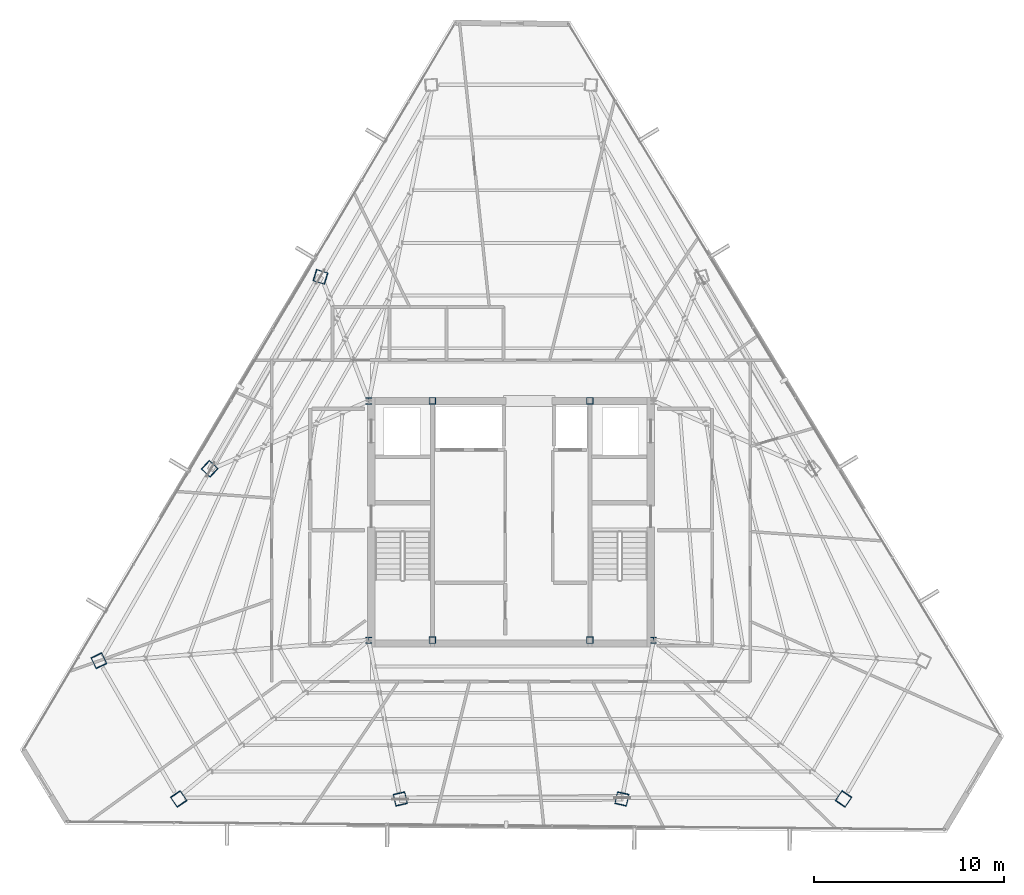
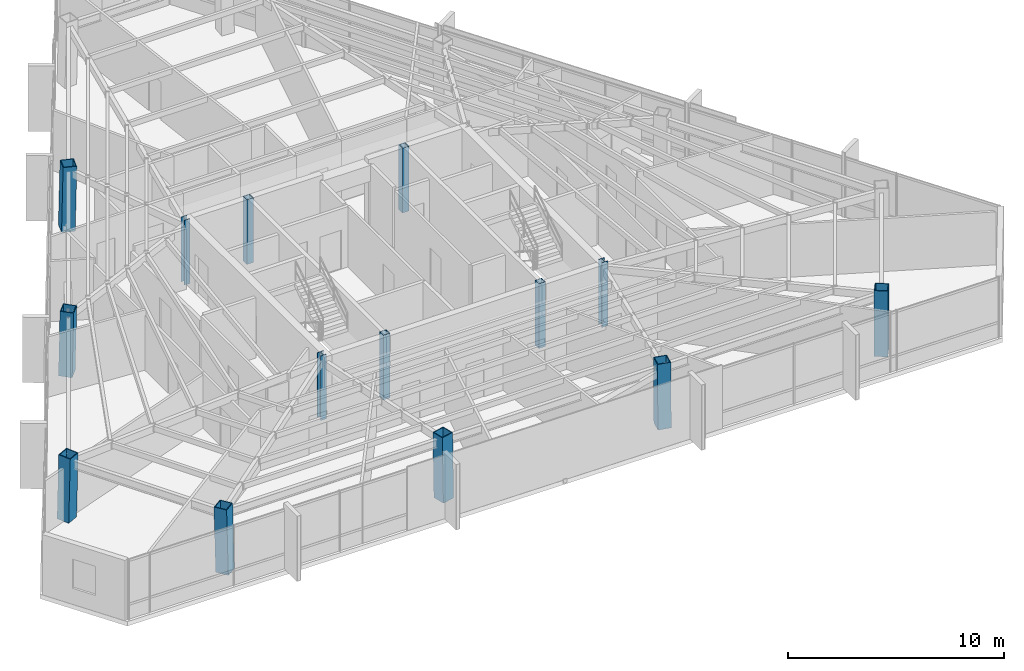
# One storey, part 1 of 45: 14 columns.
"""IFC4 building model written with IfcOpenShell, lengths in metres."""

from ifc_helpers import new_model, si_unit, direction, frame, origin, origin_2d, place, context, subcontext, project, spatial, hollow_rectangle, i_section, extrude, source, transform, mapped, material, material_profile, profile_set, type_object, type_shapes, element, save


model = new_model("IFC4")

# Units and contexts
model_context = context("Model", 3, precision=1e-05, world=origin(), true_north=direction((0.0, 1.0)))
body_context = subcontext(model_context, "Body", "Model", "MODEL_VIEW")
ifc_project = project(units=[si_unit("LENGTHUNIT", "METRE"), si_unit("AREAUNIT", "SQUARE_METRE"), si_unit("VOLUMEUNIT", "CUBIC_METRE"), si_unit("PLANEANGLEUNIT", "RADIAN"), si_unit("MASSUNIT", "GRAM", prefix="KILO")], contexts=[model_context])

# Site, building, storey
site_placement = place(None, origin())
site = spatial("IfcSite", under=ifc_project, at=site_placement, CompositionType="ELEMENT")
building_placement = place(site_placement, origin())
building = spatial("IfcBuilding", under=site, at=building_placement, Name="Caelisora Broadcast Tower", CompositionType="ELEMENT")
storey_placement = place(building_placement, frame((0.0, 0.0, 240.800048828125)))
storey = spatial("IfcBuildingStorey", under=building, at=storey_placement, Name="L63", CompositionType="ELEMENT", Elevation=240.800048828125)

# Columns
ifc_material_1 = material(Name="Steel Grade 350 (AS/NZS 1163 C350L0)", Category="steel")
ifc_material_profile_1 = material_profile(ifc_material_1, hollow_rectangle(XDim=0.35009765625, YDim=0.35009765625, WallThickness=0.01611328125, at=origin_2d()), Name="Steel Grade 350 (AS/NZS 1163 C350L0)")
ifc_profile_set_1 = profile_set([ifc_material_profile_1], Name="Steel Grade 350 (AS/NZS 1163 C350L0)")
column_type_1 = type_object("IfcColumnType", Name="CC07", PredefinedType="COLUMN", material=ifc_profile_set_1)
shared_shape_1 = source(origin(), body_context, "Body", "SweptSolid", [
    extrude(hollow_rectangle(XDim=0.35009765625, YDim=0.35009765625, WallThickness=0.01611328125, at=origin_2d()), origin(), (0.0, 0.0, 1.0), 3.64990234375),
])
type_shapes(column_type_1, [shared_shape_1])
for number, where, z_axis, x_axis, name in (
    (1, (33.85009765625, 17.39990234375, 0.0), (0.0, 0.0, 1.0), (1.0, 0.0, 0.0), "L63 column CC07"),
    (2, (42.14990234375, 17.39990234375, 0.0), (0.0, 0.0, 1.0), (1.0, 0.0, 0.0), "L63 column CC07"),
    (3, (33.85009765625, 30.0, 0.0), (0.0, 0.0, 1.0), (1.0, 0.0, 0.0), "L63 column CC07"),
    (4, (42.14990234375, 30.0, 0.0), (0.0, 0.0, 1.0), (1.0, 0.0, 0.0), "L63 column CC07"),
):
    element("IfcColumn", number, at=place(storey_placement, frame(where, z_axis=z_axis, x_axis=x_axis)), inside=storey, type_object=column_type_1, Name=name, PredefinedType="COLUMN", context=body_context, shape_type="MappedRepresentation", body=[
        mapped(shared_shape_1, transform((0.0, 0.0, 0.0), scale=1.0)),
    ])
ifc_material_2 = material(Name="Steel Grade 350 (AS/NZS 3679.1)", Category="steel")
ifc_material_profile_2 = material_profile(ifc_material_2, i_section(OverallWidth=0.31103515625, OverallDepth=0.3271484375, WebThickness=0.015625, FlangeThickness=0.02490234375, at=origin_2d()), Name="Steel Grade 350 (AS/NZS 3679.1)")
ifc_profile_set_2 = profile_set([ifc_material_profile_2], Name="Steel Grade 350 (AS/NZS 3679.1)")
column_type_2 = type_object("IfcColumnType", Name="CC03", PredefinedType="COLUMN", material=ifc_profile_set_2)
shared_shape_2 = source(origin(), body_context, "Body", "SweptSolid", [
    extrude(i_section(OverallWidth=0.31103515625, OverallDepth=0.3271484375, WebThickness=0.015625, FlangeThickness=0.02490234375, at=origin_2d()), origin(), (0.0, 0.0, 1.0), 3.64990234375),
])
type_shapes(column_type_2, [shared_shape_2])
for number, where, z_axis, x_axis, name in (
    (5, (30.5, 17.39990234375, 0.0), (0.0, 0.0, 1.0), (1.0, 0.0, 0.0), "L63 column CC03"),
    (6, (45.5, 17.39990234375, 0.0), (0.0, 0.0, 1.0), (1.0, 0.0, 0.0), "L63 column CC03"),
    (7, (30.5, 30.0, 0.0), (0.0, 0.0, 1.0), (1.0, 0.0, 0.0), "L63 column CC03"),
):
    element("IfcColumn", number, at=place(storey_placement, frame(where, z_axis=z_axis, x_axis=x_axis)), inside=storey, type_object=column_type_2, Name=name, PredefinedType="COLUMN", context=body_context, shape_type="MappedRepresentation", body=[
        mapped(shared_shape_2, transform((0.0, 0.0, 0.0), scale=1.0)),
    ])
ifc_material_3 = material(Name="Steel Grade 350 L15 (AS/NZS 3678)", Category="steel")
ifc_material_profile_3 = material_profile(ifc_material_3, hollow_rectangle(XDim=0.64990234375, YDim=0.64990234375, WallThickness=0.0400390625, at=origin_2d()), Name="Steel Grade 350 L15 (AS/NZS 3678)")
ifc_profile_set_3 = profile_set([ifc_material_profile_3], Name="Steel Grade 350 L15 (AS/NZS 3678)")
column_type_3 = type_object("IfcColumnType", Name="MC06", PredefinedType="COLUMN", material=ifc_profile_set_3)
shared_shape_3 = source(origin(), body_context, "Body", "SweptSolid", [
    extrude(hollow_rectangle(XDim=0.64990234375, YDim=0.64990234375, WallThickness=0.0400390625, at=origin_2d()), origin(), (0.0, 0.0, 1.0), 3.65087890625),
])
for number, where, z_axis, x_axis, name in (
    (8, (16.277587890625, 16.329833984375, 0.0), (0.010431795422, -0.021532295679, 0.999713727968), (0.899947055326, 0.435999194506, 0.0), "L63 column MC06"),
    (9, (20.496337890625, 9.02294921875, 0.0), (-0.013507825582, 0.019793645407, 0.999712833893), (-0.825991119814, -0.563683129062, 0.0), "L63 column MC06"),
    (10, (55.503662109375, 9.02294921875, 0.0), (0.013507825582, 0.019793645407, 0.999712833893), (-0.825991119814, 0.563683129062, 0.0), "L63 column MC06"),
):
    element("IfcColumn", number, at=place(storey_placement, frame(where, z_axis=z_axis, x_axis=x_axis)), inside=storey, type_object=column_type_3, Name=name, PredefinedType="COLUMN", context=body_context, shape_type="MappedRepresentation", body=[
        mapped(shared_shape_3, transform((0.0, 0.0, 0.0), scale=1.0)),
    ])
shared_shape_4 = source(origin(), body_context, "Body", "SweptSolid", [
    extrude(hollow_rectangle(XDim=0.64990234375, YDim=0.64990234375, WallThickness=0.0400390625, at=origin_2d()), origin(), (0.0, 0.0, 1.0), 3.650634765625),
])
type_shapes(column_type_3, [shared_shape_3, shared_shape_4])
for number, where, z_axis, x_axis, name in (
    (11, (27.94677734375, 36.54150390625, 0.0), (0.019393993486, -0.006018825565, 0.999793802119), (0.296399214872, 0.955064136811, 0.0), "L63 column MC06"),
    (12, (22.1123046875, 26.435546875, 0.0), (0.014846452328, -0.013776437746, 0.99979487527), (0.68019775991, 0.733028653883, 0.0), "L63 column MC06"),
    (13, (32.165283203125, 9.02294921875, 0.0), (-0.004480682206, 0.019795252729, 0.999794014513), (-0.975326687046, -0.220766513622, 0.0), "L63 column MC06"),
    (14, (43.834716796875, 9.02294921875, 0.0), (0.004480682206, 0.019795252729, 0.999794014513), (-0.975326687046, 0.220766513622, 0.0), "L63 column MC06"),
):
    element("IfcColumn", number, at=place(storey_placement, frame(where, z_axis=z_axis, x_axis=x_axis)), inside=storey, type_object=column_type_3, Name=name, PredefinedType="COLUMN", context=body_context, shape_type="MappedRepresentation", body=[
        mapped(shared_shape_4, transform((0.0, 0.0, 0.0), scale=1.0)),
    ])

save(model, "model.ifc")
